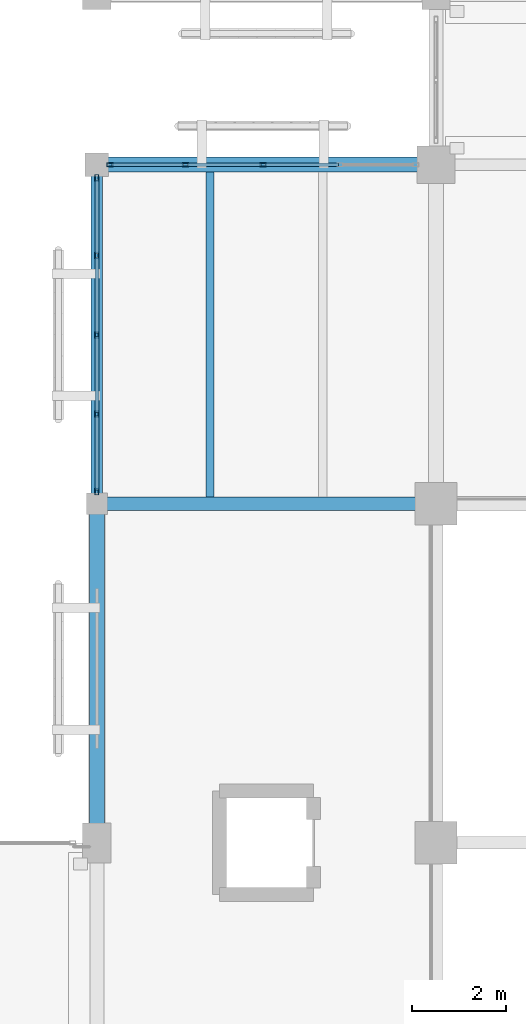
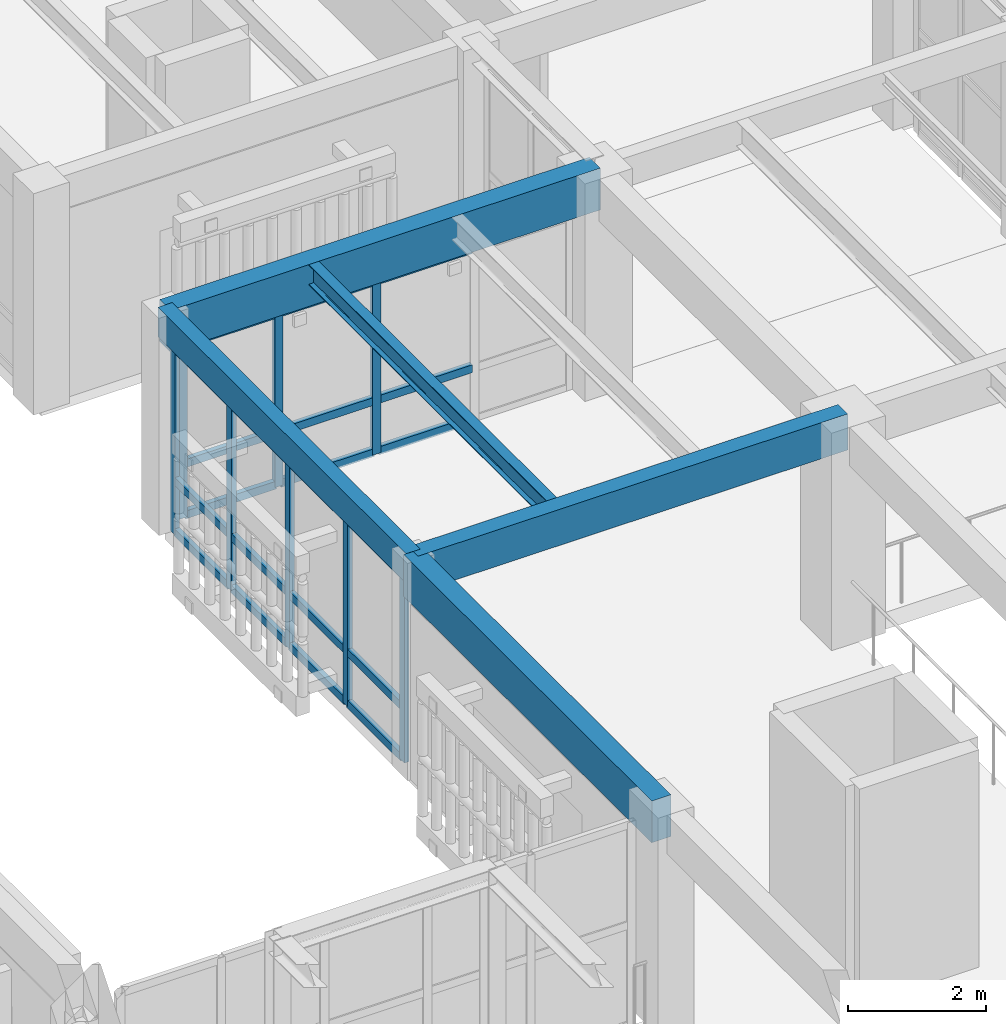
# One storey, part 57 of 170: 29 members, 5 beams, 2 elements without a shape of their own.
"""IFC4 building model written with IfcOpenShell, lengths in metres."""

from ifc_helpers import new_model, si_unit, direction, frame, origin, origin_2d, place, context, subcontext, project, spatial, rectangle, hollow_rectangle, i_section, extrude, material, layer, layer_set, material_profile, profile_set, type_object, element, aggregate, save


model = new_model("IFC4")

# Units and contexts
model_context = context("Model", 3, precision=1e-05, world=origin(), true_north=direction((0.0, 1.0)))
body_context = subcontext(model_context, "Body", "Model", "MODEL_VIEW")
ifc_project = project(units=[si_unit("LENGTHUNIT", "METRE"), si_unit("AREAUNIT", "SQUARE_METRE"), si_unit("VOLUMEUNIT", "CUBIC_METRE"), si_unit("PLANEANGLEUNIT", "RADIAN"), si_unit("MASSUNIT", "GRAM", prefix="KILO")], contexts=[model_context])

# Site, building, storey
site_placement = place(None, origin())
site = spatial("IfcSite", under=ifc_project, at=site_placement, CompositionType="ELEMENT")
building_placement = place(site_placement, origin())
building = spatial("IfcBuilding", under=site, at=building_placement, Name="Mazaris Harbour Polytechnic", CompositionType="ELEMENT")
storey_placement = place(building_placement, frame((0.0, 0.0, 5.39990234375)))
storey = spatial("IfcBuildingStorey", under=building, at=storey_placement, Name="L01", CompositionType="ELEMENT", Elevation=5.39990234375)

# Curtain wall, members
ifc_material_1 = material(Name="Anodised Bronze Aluminium and Low-E Glass", Category="aluminium")
ifc_layer = layer(ifc_material_1, 0.159912109375, Name="Anodised Bronze Aluminium and Low-E Glass")
ifc_layer_set = layer_set([ifc_layer], Name="Anodised Bronze Aluminium and Low-E Glass")
curtain_wall_type = type_object("IfcCurtainWallType", Name="Cloister Court Curtain Wall", PredefinedType="NOTDEFINED", material=ifc_layer_set)
curtain_wall_1_placement = place(storey_placement, origin())
curtain_wall_1 = element("IfcCurtainWall", 1, at=curtain_wall_1_placement, inside=storey, type_object=curtain_wall_type, Name="V2 L01 Curtain Wall 43", PredefinedType="NOTDEFINED")
ifc_material_2 = material(Name="Anodised Bronze Steel S355", Category="steel")
ifc_material_profile_1 = material_profile(ifc_material_2, hollow_rectangle(XDim=0.080078125, YDim=0.139892578125, WallThickness=0.00634765625, at=origin_2d()), Name="RHS 80x140x6.3")
ifc_profile_set_1 = profile_set([ifc_material_profile_1], Name="Anodised Bronze Steel S355")
member_type_1 = type_object("IfcMemberType", Name="Curtain Mullion RHS80x140", PredefinedType="MULLION", material=ifc_profile_set_1)
member_1_placement = place(storey_placement, frame((122.681884765625, 43.199951171875, 0.0), z_axis=(0.0, 0.0, 1.0), x_axis=(0.0, 1.0, 0.0)))
member_1 = element("IfcMember", 2, at=member_1_placement, type_object=member_type_1, Name="CW-02 mullion 1", PredefinedType="MULLION", context=body_context, shape_type="SweptSolid", body=[
    extrude(hollow_rectangle(XDim=0.080078125, YDim=0.139892578125, WallThickness=0.00634765625, at=origin_2d()), origin(), (0.0, 0.0, 1.0), 3.10009765625),
])
member_2_placement = place(storey_placement, frame((124.283447265625, 43.199951171875, 0.0), z_axis=(0.0, 0.0, 1.0), x_axis=(0.0, 1.0, 0.0)))
member_2 = element("IfcMember", 3, at=member_2_placement, type_object=member_type_1, Name="CW-02 mullion 2", PredefinedType="MULLION", context=body_context, shape_type="SweptSolid", body=[
    extrude(hollow_rectangle(XDim=0.080078125, YDim=0.139892578125, WallThickness=0.00634765625, at=origin_2d()), origin(), (0.0, 0.0, 1.0), 3.10009765625),
])
member_3_placement = place(storey_placement, frame((125.925048828125, 43.199951171875, 0.0), z_axis=(0.0, 0.0, 1.0), x_axis=(0.0, 1.0, 0.0)))
member_3 = element("IfcMember", 4, at=member_3_placement, type_object=member_type_1, Name="CW-02 mullion 3", PredefinedType="MULLION", context=body_context, shape_type="SweptSolid", body=[
    extrude(hollow_rectangle(XDim=0.080078125, YDim=0.139892578125, WallThickness=0.00634765625, at=origin_2d()), origin(), (0.0, 0.0, 1.0), 3.10009765625),
])

curtain_wall_2_placement = place(storey_placement, origin())
curtain_wall_2 = element("IfcCurtainWall", 5, at=curtain_wall_2_placement, inside=storey, type_object=curtain_wall_type, Name="V2 L01 Curtain Wall 48", PredefinedType="NOTDEFINED")
member_4_placement = place(storey_placement, frame((122.39990234375, 36.257080078125, 0.0), z_axis=(0.0, 0.0, 1.0), x_axis=(-1.0, 0.0, 0.0)))
member_4 = element("IfcMember", 6, at=member_4_placement, type_object=member_type_1, Name="CW-02 mullion 1", PredefinedType="MULLION", context=body_context, shape_type="SweptSolid", body=[
    extrude(hollow_rectangle(XDim=0.080078125, YDim=0.139892578125, WallThickness=0.00634765625, at=origin_2d()), origin(), (0.0, 0.0, 1.0), 3.320068359375),
])
member_5_placement = place(storey_placement, frame((122.39990234375, 37.90234375, 0.0), z_axis=(0.0, 0.0, 1.0), x_axis=(-1.0, 0.0, 0.0)))
member_5 = element("IfcMember", 7, at=member_5_placement, type_object=member_type_1, Name="CW-02 mullion 2", PredefinedType="MULLION", context=body_context, shape_type="SweptSolid", body=[
    extrude(hollow_rectangle(XDim=0.080078125, YDim=0.139892578125, WallThickness=0.00634765625, at=origin_2d()), origin(), (0.0, 0.0, 1.0), 3.320068359375),
])
member_6_placement = place(storey_placement, frame((122.39990234375, 39.58740234375, 0.0), z_axis=(0.0, 0.0, 1.0), x_axis=(-1.0, 0.0, 0.0)))
member_6 = element("IfcMember", 8, at=member_6_placement, type_object=member_type_1, Name="CW-02 mullion 3", PredefinedType="MULLION", context=body_context, shape_type="SweptSolid", body=[
    extrude(hollow_rectangle(XDim=0.080078125, YDim=0.139892578125, WallThickness=0.00634765625, at=origin_2d()), origin(), (0.0, 0.0, 1.0), 3.320068359375),
])
member_7_placement = place(storey_placement, frame((122.39990234375, 41.272705078125, 0.0), z_axis=(0.0, 0.0, 1.0), x_axis=(-1.0, 0.0, 0.0)))
member_7 = element("IfcMember", 9, at=member_7_placement, type_object=member_type_1, Name="CW-02 mullion 4", PredefinedType="MULLION", context=body_context, shape_type="SweptSolid", body=[
    extrude(hollow_rectangle(XDim=0.080078125, YDim=0.139892578125, WallThickness=0.00634765625, at=origin_2d()), origin(), (0.0, 0.0, 1.0), 3.320068359375),
])
member_8_placement = place(storey_placement, frame((122.39990234375, 42.91796875, 0.0), z_axis=(0.0, 0.0, 1.0), x_axis=(-1.0, 0.0, 0.0)))
member_8 = element("IfcMember", 10, at=member_8_placement, type_object=member_type_1, Name="CW-02 mullion 5", PredefinedType="MULLION", context=body_context, shape_type="SweptSolid", body=[
    extrude(hollow_rectangle(XDim=0.080078125, YDim=0.139892578125, WallThickness=0.00634765625, at=origin_2d()), origin(), (0.0, 0.0, 1.0), 3.320068359375),
])

# Member
ifc_material_3 = material(Name="Anodised Bronze Steel S355", Category="steel")
ifc_material_profile_2 = material_profile(ifc_material_3, hollow_rectangle(XDim=0.080078125, YDim=0.139892578125, WallThickness=0.00634765625, at=origin_2d()), Name="RHS 80x140x6.3")
ifc_profile_set_2 = profile_set([ifc_material_profile_2], Name="Anodised Bronze Steel S355")
member_type_2 = type_object("IfcMemberType", Name="Curtain Transom RHS80x140", PredefinedType="USERDEFINED", material=ifc_profile_set_2)
member_9_placement = place(storey_placement, frame((122.721923828125, 43.199951171875, 0.0400390625), z_axis=(1.0, 0.0, 0.0), x_axis=(0.0, 1.0, 0.0)))
member_9 = element("IfcMember", 11, at=member_9_placement, type_object=member_type_2, Name="CW-02 transom 1.1", ObjectType="TRANSOM", PredefinedType="USERDEFINED", context=body_context, shape_type="SweptSolid", body=[
    extrude(hollow_rectangle(XDim=0.080078125, YDim=0.139892578125, WallThickness=0.00634765625, at=origin_2d()), origin(), (0.0, 0.0, 1.0), 1.521484375),
])

member_10_placement = place(storey_placement, frame((122.721923828125, 43.199951171875, 0.9501953125), z_axis=(1.0, 0.0, 0.0), x_axis=(0.0, 1.0, 0.0)))
member_10 = element("IfcMember", 12, at=member_10_placement, type_object=member_type_2, Name="CW-02 transom 1.2", ObjectType="TRANSOM", PredefinedType="USERDEFINED", context=body_context, shape_type="SweptSolid", body=[
    extrude(hollow_rectangle(XDim=0.080078125, YDim=0.139892578125, WallThickness=0.00634765625, at=origin_2d()), origin(), (0.0, 0.0, 1.0), 1.521484375),
])

member_11_placement = place(storey_placement, frame((122.721923828125, 43.199951171875, 3.06005859375), z_axis=(1.0, 0.0, 0.0), x_axis=(0.0, 1.0, 0.0)))
member_11 = element("IfcMember", 13, at=member_11_placement, type_object=member_type_2, Name="CW-02 transom 1.3", ObjectType="TRANSOM", PredefinedType="USERDEFINED", context=body_context, shape_type="SweptSolid", body=[
    extrude(hollow_rectangle(XDim=0.080078125, YDim=0.139892578125, WallThickness=0.00634765625, at=origin_2d()), origin(), (0.0, 0.0, 1.0), 1.521484375),
])

member_12_placement = place(storey_placement, frame((124.323486328125, 43.199951171875, 0.0400390625), z_axis=(1.0, 0.0, 0.0), x_axis=(0.0, 1.0, 0.0)))
member_12 = element("IfcMember", 14, at=member_12_placement, type_object=member_type_2, Name="CW-02 transom 2.1", ObjectType="TRANSOM", PredefinedType="USERDEFINED", context=body_context, shape_type="SweptSolid", body=[
    extrude(hollow_rectangle(XDim=0.080078125, YDim=0.139892578125, WallThickness=0.00634765625, at=origin_2d()), origin(), (0.0, 0.0, 1.0), 1.5615234375),
])

member_13_placement = place(storey_placement, frame((124.323486328125, 43.199951171875, 0.9501953125), z_axis=(1.0, 0.0, 0.0), x_axis=(0.0, 1.0, 0.0)))
member_13 = element("IfcMember", 15, at=member_13_placement, type_object=member_type_2, Name="CW-02 transom 2.2", ObjectType="TRANSOM", PredefinedType="USERDEFINED", context=body_context, shape_type="SweptSolid", body=[
    extrude(hollow_rectangle(XDim=0.080078125, YDim=0.139892578125, WallThickness=0.00634765625, at=origin_2d()), origin(), (0.0, 0.0, 1.0), 1.5615234375),
])

member_14_placement = place(storey_placement, frame((124.323486328125, 43.199951171875, 3.06005859375), z_axis=(1.0, 0.0, 0.0), x_axis=(0.0, 1.0, 0.0)))
member_14 = element("IfcMember", 16, at=member_14_placement, type_object=member_type_2, Name="CW-02 transom 2.3", ObjectType="TRANSOM", PredefinedType="USERDEFINED", context=body_context, shape_type="SweptSolid", body=[
    extrude(hollow_rectangle(XDim=0.080078125, YDim=0.139892578125, WallThickness=0.00634765625, at=origin_2d()), origin(), (0.0, 0.0, 1.0), 1.5615234375),
])

member_15_placement = place(storey_placement, frame((125.965087890625, 43.199951171875, 0.0400390625), z_axis=(1.0, 0.0, 0.0), x_axis=(0.0, 1.0, 0.0)))
member_15 = element("IfcMember", 17, at=member_15_placement, type_object=member_type_2, Name="CW-02 transom 3.1", ObjectType="TRANSOM", PredefinedType="USERDEFINED", context=body_context, shape_type="SweptSolid", body=[
    extrude(hollow_rectangle(XDim=0.080078125, YDim=0.139892578125, WallThickness=0.00634765625, at=origin_2d()), origin(), (0.0, 0.0, 1.0), 1.5615234375),
])

member_16_placement = place(storey_placement, frame((125.965087890625, 43.199951171875, 0.9501953125), z_axis=(1.0, 0.0, 0.0), x_axis=(0.0, 1.0, 0.0)))
member_16 = element("IfcMember", 18, at=member_16_placement, type_object=member_type_2, Name="CW-02 transom 3.2", ObjectType="TRANSOM", PredefinedType="USERDEFINED", context=body_context, shape_type="SweptSolid", body=[
    extrude(hollow_rectangle(XDim=0.080078125, YDim=0.139892578125, WallThickness=0.00634765625, at=origin_2d()), origin(), (0.0, 0.0, 1.0), 1.5615234375),
])

member_17_placement = place(storey_placement, frame((125.965087890625, 43.199951171875, 3.06005859375), z_axis=(1.0, 0.0, 0.0), x_axis=(0.0, 1.0, 0.0)))
member_17 = element("IfcMember", 19, at=member_17_placement, type_object=member_type_2, Name="CW-02 transom 3.3", ObjectType="TRANSOM", PredefinedType="USERDEFINED", context=body_context, shape_type="SweptSolid", body=[
    extrude(hollow_rectangle(XDim=0.080078125, YDim=0.139892578125, WallThickness=0.00634765625, at=origin_2d()), origin(), (0.0, 0.0, 1.0), 1.5615234375),
])

aggregate(curtain_wall_1, [member_1, member_2, member_3, member_9, member_10, member_11, member_12, member_13, member_14, member_15, member_16, member_17])

member_18_placement = place(storey_placement, frame((122.39990234375, 36.297119140625, 0.0400390625), z_axis=(0.0, 1.0, 0.0), x_axis=(-1.0, 0.0, 0.0)))
member_18 = element("IfcMember", 20, at=member_18_placement, type_object=member_type_2, Name="CW-02 transom 1.1", ObjectType="TRANSOM", PredefinedType="USERDEFINED", context=body_context, shape_type="SweptSolid", body=[
    extrude(hollow_rectangle(XDim=0.080078125, YDim=0.139892578125, WallThickness=0.00634765625, at=origin_2d()), origin(), (0.0, 0.0, 1.0), 1.565185546875),
])

member_19_placement = place(storey_placement, frame((122.39990234375, 36.297119140625, 0.9501953125), z_axis=(0.0, 1.0, 0.0), x_axis=(-1.0, 0.0, 0.0)))
member_19 = element("IfcMember", 21, at=member_19_placement, type_object=member_type_2, Name="CW-02 transom 1.2", ObjectType="TRANSOM", PredefinedType="USERDEFINED", context=body_context, shape_type="SweptSolid", body=[
    extrude(hollow_rectangle(XDim=0.080078125, YDim=0.139892578125, WallThickness=0.00634765625, at=origin_2d()), origin(), (0.0, 0.0, 1.0), 1.565185546875),
])

member_20_placement = place(storey_placement, frame((122.39990234375, 36.297119140625, 3.280029296875), z_axis=(0.0, 1.0, 0.0), x_axis=(-1.0, 0.0, 0.0)))
member_20 = element("IfcMember", 22, at=member_20_placement, type_object=member_type_2, Name="CW-02 transom 1.3", ObjectType="TRANSOM", PredefinedType="USERDEFINED", context=body_context, shape_type="SweptSolid", body=[
    extrude(hollow_rectangle(XDim=0.080078125, YDim=0.139892578125, WallThickness=0.00634765625, at=origin_2d()), origin(), (0.0, 0.0, 1.0), 1.565185546875),
])

member_21_placement = place(storey_placement, frame((122.39990234375, 37.942138671875, 0.0400390625), z_axis=(0.0, 1.0, 0.0), x_axis=(-1.0, 0.0, 0.0)))
member_21 = element("IfcMember", 23, at=member_21_placement, type_object=member_type_2, Name="CW-02 transom 2.1", ObjectType="TRANSOM", PredefinedType="USERDEFINED", context=body_context, shape_type="SweptSolid", body=[
    extrude(hollow_rectangle(XDim=0.080078125, YDim=0.139892578125, WallThickness=0.00634765625, at=origin_2d()), origin(), (0.0, 0.0, 1.0), 1.60546875),
])

member_22_placement = place(storey_placement, frame((122.39990234375, 37.942138671875, 0.9501953125), z_axis=(0.0, 1.0, 0.0), x_axis=(-1.0, 0.0, 0.0)))
member_22 = element("IfcMember", 24, at=member_22_placement, type_object=member_type_2, Name="CW-02 transom 2.2", ObjectType="TRANSOM", PredefinedType="USERDEFINED", context=body_context, shape_type="SweptSolid", body=[
    extrude(hollow_rectangle(XDim=0.080078125, YDim=0.139892578125, WallThickness=0.00634765625, at=origin_2d()), origin(), (0.0, 0.0, 1.0), 1.60546875),
])

member_23_placement = place(storey_placement, frame((122.39990234375, 37.942138671875, 3.280029296875), z_axis=(0.0, 1.0, 0.0), x_axis=(-1.0, 0.0, 0.0)))
member_23 = element("IfcMember", 25, at=member_23_placement, type_object=member_type_2, Name="CW-02 transom 2.3", ObjectType="TRANSOM", PredefinedType="USERDEFINED", context=body_context, shape_type="SweptSolid", body=[
    extrude(hollow_rectangle(XDim=0.080078125, YDim=0.139892578125, WallThickness=0.00634765625, at=origin_2d()), origin(), (0.0, 0.0, 1.0), 1.60546875),
])

member_24_placement = place(storey_placement, frame((122.39990234375, 39.62744140625, 0.0400390625), z_axis=(0.0, 1.0, 0.0), x_axis=(-1.0, 0.0, 0.0)))
member_24 = element("IfcMember", 26, at=member_24_placement, type_object=member_type_2, Name="CW-02 transom 3.1", ObjectType="TRANSOM", PredefinedType="USERDEFINED", context=body_context, shape_type="SweptSolid", body=[
    extrude(hollow_rectangle(XDim=0.080078125, YDim=0.139892578125, WallThickness=0.00634765625, at=origin_2d()), origin(), (0.0, 0.0, 1.0), 1.605224609375),
])

member_25_placement = place(storey_placement, frame((122.39990234375, 39.62744140625, 0.9501953125), z_axis=(0.0, 1.0, 0.0), x_axis=(-1.0, 0.0, 0.0)))
member_25 = element("IfcMember", 27, at=member_25_placement, type_object=member_type_2, Name="CW-02 transom 3.2", ObjectType="TRANSOM", PredefinedType="USERDEFINED", context=body_context, shape_type="SweptSolid", body=[
    extrude(hollow_rectangle(XDim=0.080078125, YDim=0.139892578125, WallThickness=0.00634765625, at=origin_2d()), origin(), (0.0, 0.0, 1.0), 1.605224609375),
])

member_26_placement = place(storey_placement, frame((122.39990234375, 39.62744140625, 3.280029296875), z_axis=(0.0, 1.0, 0.0), x_axis=(-1.0, 0.0, 0.0)))
member_26 = element("IfcMember", 28, at=member_26_placement, type_object=member_type_2, Name="CW-02 transom 3.3", ObjectType="TRANSOM", PredefinedType="USERDEFINED", context=body_context, shape_type="SweptSolid", body=[
    extrude(hollow_rectangle(XDim=0.080078125, YDim=0.139892578125, WallThickness=0.00634765625, at=origin_2d()), origin(), (0.0, 0.0, 1.0), 1.605224609375),
])

member_27_placement = place(storey_placement, frame((122.39990234375, 41.312744140625, 0.0400390625), z_axis=(0.0, 1.0, 0.0), x_axis=(-1.0, 0.0, 0.0)))
member_27 = element("IfcMember", 29, at=member_27_placement, type_object=member_type_2, Name="CW-02 transom 4.1", ObjectType="TRANSOM", PredefinedType="USERDEFINED", context=body_context, shape_type="SweptSolid", body=[
    extrude(hollow_rectangle(XDim=0.080078125, YDim=0.139892578125, WallThickness=0.00634765625, at=origin_2d()), origin(), (0.0, 0.0, 1.0), 1.565185546875),
])

member_28_placement = place(storey_placement, frame((122.39990234375, 41.312744140625, 0.9501953125), z_axis=(0.0, 1.0, 0.0), x_axis=(-1.0, 0.0, 0.0)))
member_28 = element("IfcMember", 30, at=member_28_placement, type_object=member_type_2, Name="CW-02 transom 4.2", ObjectType="TRANSOM", PredefinedType="USERDEFINED", context=body_context, shape_type="SweptSolid", body=[
    extrude(hollow_rectangle(XDim=0.080078125, YDim=0.139892578125, WallThickness=0.00634765625, at=origin_2d()), origin(), (0.0, 0.0, 1.0), 1.565185546875),
])

member_29_placement = place(storey_placement, frame((122.39990234375, 41.312744140625, 3.280029296875), z_axis=(0.0, 1.0, 0.0), x_axis=(-1.0, 0.0, 0.0)))
member_29 = element("IfcMember", 31, at=member_29_placement, type_object=member_type_2, Name="CW-02 transom 4.3", ObjectType="TRANSOM", PredefinedType="USERDEFINED", context=body_context, shape_type="SweptSolid", body=[
    extrude(hollow_rectangle(XDim=0.080078125, YDim=0.139892578125, WallThickness=0.00634765625, at=origin_2d()), origin(), (0.0, 0.0, 1.0), 1.565185546875),
])

aggregate(curtain_wall_2, [member_4, member_5, member_6, member_7, member_8, member_18, member_19, member_20, member_21, member_22, member_23, member_24, member_25, member_26, member_27, member_28, member_29])

# Beams
ifc_material_4 = material(Name="Glulam GL32h", Category="wood")
ifc_material_profile_3 = material_profile(ifc_material_4, rectangle(XDim=0.239990234375, YDim=0.52001953125, at=origin_2d()), Name="RECT240x520")
ifc_profile_set_3 = profile_set([ifc_material_profile_3], Name="Glulam GL32h")
beam_type_1 = type_object("IfcBeamType", Name="Glulam Girder 240x520 Exterior", PredefinedType="BEAM", material=ifc_profile_set_3)
beam_1_placement = place(storey_placement, frame((122.39990234375, 36.0, 3.590087890625), z_axis=(0.0, 1.0, 0.0), x_axis=(-1.0, 0.0, 0.0)))
element("IfcBeam", 32, at=beam_1_placement, inside=storey, type_object=beam_type_1, Name="V2 L01 Tie Girder 560", PredefinedType="BEAM", context=body_context, shape_type="SweptSolid", body=[
    extrude(rectangle(XDim=0.239990234375, YDim=0.52001953125, at=origin_2d()), origin(), (0.0, 0.0, 1.0), 7.199951171875),
])
ifc_material_5 = material(Name="Glulam GL32h", Category="wood")
ifc_material_profile_4 = material_profile(ifc_material_5, rectangle(XDim=0.280029296875, YDim=0.639892578125, at=origin_2d()), Name="RECT280x640")
ifc_profile_set_4 = profile_set([ifc_material_profile_4], Name="Glulam GL32h")
beam_type_2 = type_object("IfcBeamType", Name="Glulam Girder 280x640", PredefinedType="BEAM", material=ifc_profile_set_4)
beam_2_placement = place(storey_placement, frame((122.39990234375, 36.0, 3.530029296875), z_axis=(1.0, 0.0, 0.0), x_axis=(0.0, 1.0, 0.0)))
element("IfcBeam", 33, at=beam_2_placement, inside=storey, type_object=beam_type_2, Name="V2 L01 Girder 542", PredefinedType="BEAM", context=body_context, shape_type="SweptSolid", body=[
    extrude(rectangle(XDim=0.280029296875, YDim=0.639892578125, at=origin_2d()), origin(), (0.0, 0.0, 1.0), 7.2001953125),
])
ifc_material_6 = material(Name="Glulam GL32h", Category="wood")
ifc_material_profile_5 = material_profile(ifc_material_6, rectangle(XDim=0.320068359375, YDim=0.739990234375, at=origin_2d()), Name="RECT320x740")
ifc_profile_set_5 = profile_set([ifc_material_profile_5], Name="Glulam GL32h")
beam_type_3 = type_object("IfcBeamType", Name="Glulam Girder 320x740 Exterior", PredefinedType="BEAM", material=ifc_profile_set_5)
beam_3_placement = place(storey_placement, frame((122.39990234375, 43.199951171875, 3.47998046875), z_axis=(1.0, 0.0, 0.0), x_axis=(0.0, 1.0, 0.0)))
element("IfcBeam", 34, at=beam_3_placement, inside=storey, type_object=beam_type_3, Name="V2 L01 Girder 549", PredefinedType="BEAM", context=body_context, shape_type="SweptSolid", body=[
    extrude(rectangle(XDim=0.320068359375, YDim=0.739990234375, at=origin_2d()), origin(), (0.0, 0.0, 1.0), 7.2001953125),
])
beam_4_placement = place(storey_placement, frame((122.39990234375, 28.800048828125, 3.47998046875), z_axis=(0.0, 1.0, 0.0), x_axis=(-1.0, 0.0, 0.0)))
element("IfcBeam", 35, at=beam_4_placement, inside=storey, type_object=beam_type_3, Name="V2 L01 Tie Girder 559", PredefinedType="BEAM", context=body_context, shape_type="SweptSolid", body=[
    extrude(rectangle(XDim=0.320068359375, YDim=0.739990234375, at=origin_2d()), origin(), (0.0, 0.0, 1.0), 7.199951171875),
])
ifc_material_7 = material(Name="Steel S355", Category="steel")
ifc_material_profile_6 = material_profile(ifc_material_7, i_section(OverallWidth=0.169921875, OverallDepth=0.360107421875, WebThickness=0.008056640625, FlangeThickness=0.0126953125, FilletRadius=0.01806640625, at=origin_2d()), Name="IPE 360")
ifc_profile_set_6 = profile_set([ifc_material_profile_6], Name="Steel S355")
beam_type_4 = type_object("IfcBeamType", Name="Steel Joist IPE360", PredefinedType="JOIST", material=ifc_profile_set_6)
beam_5_placement = place(storey_placement, frame((124.800048828125, 36.139892578125, 3.670166015625), z_axis=(0.0, 1.0, 0.0), x_axis=(-1.0, 0.0, 0.0)))
element("IfcBeam", 36, at=beam_5_placement, inside=storey, type_object=beam_type_4, Name="V2 L01 Floor Joist 585", PredefinedType="JOIST", context=body_context, shape_type="SweptSolid", body=[
    extrude(i_section(OverallWidth=0.169921875, OverallDepth=0.360107421875, WebThickness=0.008056640625, FlangeThickness=0.0126953125, FilletRadius=0.01806640625, at=origin_2d()), origin(), (0.0, 0.0, 1.0), 6.900146484375),
])

save(model, "model.ifc")
